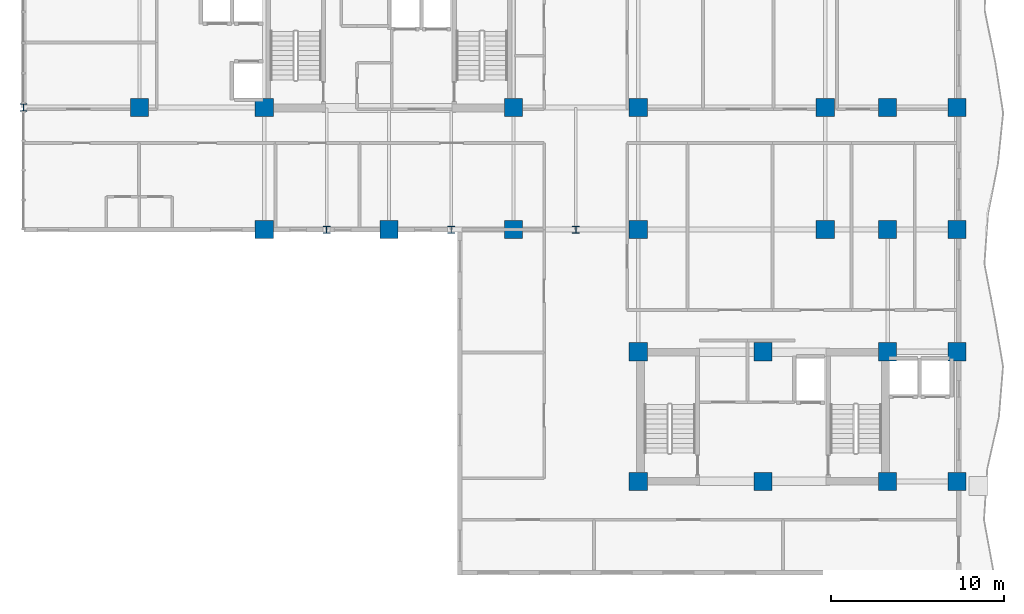
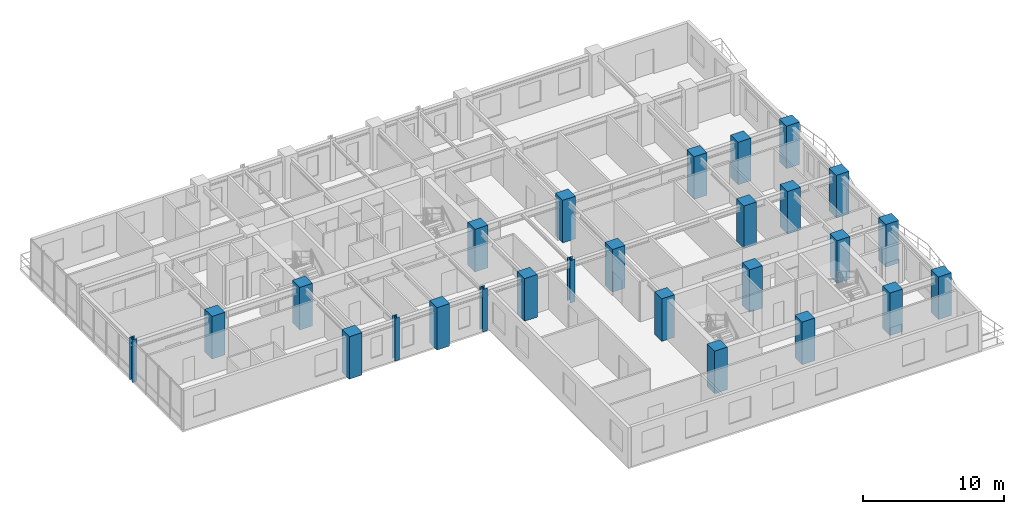
# One storey, part 1 of 19: 26 columns.
"""IFC4 building model written with IfcOpenShell, lengths in metres."""

from ifc_helpers import new_model, si_unit, direction, frame, origin, origin_2d, place, context, subcontext, project, spatial, rectangle, i_section, extrude, source, transform, mapped, material, material_profile, profile_set, type_object, element, save


model = new_model("IFC4")

# Units and contexts
model_context = context("Model", 3, precision=1e-05, world=origin(), true_north=direction((0.0, 1.0)))
body_context = subcontext(model_context, "Body", "Model", "MODEL_VIEW")
ifc_project = project(units=[si_unit("LENGTHUNIT", "METRE"), si_unit("AREAUNIT", "SQUARE_METRE"), si_unit("VOLUMEUNIT", "CUBIC_METRE"), si_unit("PLANEANGLEUNIT", "RADIAN"), si_unit("MASSUNIT", "GRAM", prefix="KILO")], contexts=[model_context])

# Site, building, storey
site_placement = place(None, origin())
site = spatial("IfcSite", under=ifc_project, at=site_placement, CompositionType="ELEMENT")
building_placement = place(site_placement, origin())
building = spatial("IfcBuilding", under=site, at=building_placement, Name="Kaliganga Portal Commons", CompositionType="ELEMENT")
storey_placement = place(building_placement, frame((0.0, 0.0, 184.60009765625)))
storey = spatial("IfcBuildingStorey", under=building, at=storey_placement, Name="L47", CompositionType="ELEMENT", Elevation=184.60009765625)

# Columns
ifc_material_1 = material(Name="Concrete C60/75", Category="concrete")
ifc_material_profile_1 = material_profile(ifc_material_1, rectangle(XDim=1.050048828125, YDim=1.050048828125, at=origin_2d()), Name="RC 1050x1050")
ifc_profile_set_1 = profile_set([ifc_material_profile_1], Name="Concrete C60/75")
column_type_1 = type_object("IfcColumnType", Name="COL-MEGA-Z3", PredefinedType="COLUMN", material=ifc_profile_set_1)
shared_shape_1 = source(origin(), body_context, "Body", "SweptSolid", [
    extrude(rectangle(XDim=1.050048828125, YDim=1.050048828125, at=origin_2d()), origin(), (0.0, 0.0, 1.0), 3.699951171875),
])
for number, where, z_axis, x_axis, name in (
    (1, (7.199951171875, 28.64990234375, 0.0), (0.0, 0.0, 1.0), (1.0, 0.0, 0.0), "Column MC-04 L47"),
    (2, (14.39990234375, 21.60009765625, 0.0), (0.0, 0.0, 1.0), (1.0, 0.0, 0.0), "Column MC-04 L47"),
    (3, (14.39990234375, 28.64990234375, 0.0), (0.0, 0.0, 1.0), (1.0, 0.0, 0.0), "Column MC-04 L47"),
    (4, (21.60009765625, 21.60009765625, 0.0), (0.0, 0.0, 1.0), (1.0, 0.0, 0.0), "Column MC-04 L47"),
    (5, (28.800048828125, 21.60009765625, 0.0), (0.0, 0.0, 1.0), (1.0, 0.0, 0.0), "Column MC-04 L47"),
    (6, (28.800048828125, 28.64990234375, 0.0), (0.0, 0.0, 1.0), (1.0, 0.0, 0.0), "Column MC-04 L47"),
    (7, (36.0, 21.60009765625, 0.0), (0.0, 0.0, 1.0), (1.0, 0.0, 0.0), "Column MC-04 L47"),
    (8, (36.0, 28.64990234375, 0.0), (0.0, 0.0, 1.0), (1.0, 0.0, 0.0), "Column MC-04 L47"),
    (9, (46.800048828125, 21.60009765625, 0.0), (0.0, 0.0, 1.0), (1.0, 0.0, 0.0), "Column MC-04 L47"),
    (10, (46.800048828125, 28.64990234375, 0.0), (0.0, 0.0, 1.0), (1.0, 0.0, 0.0), "Column MC-04 L47"),
    (11, (36.0, 7.050048828125, 0.0), (0.0, 0.0, 1.0), (1.0, 0.0, 0.0), "Column MC-04 L47"),
    (12, (36.0, 14.550048828125, 0.0), (0.0, 0.0, 1.0), (1.0, 0.0, 0.0), "Column MC-04 L47"),
    (13, (43.199951171875, 7.050048828125, 0.0), (0.0, 0.0, 1.0), (1.0, 0.0, 0.0), "Column MC-04 L47"),
    (14, (43.199951171875, 14.550048828125, 0.0), (0.0, 0.0, 1.0), (1.0, 0.0, 0.0), "Column MC-04 L47"),
    (15, (50.39990234375, 7.050048828125, 0.0), (0.0, 0.0, 1.0), (1.0, 0.0, 0.0), "Column MC-04 L47"),
    (16, (50.39990234375, 14.550048828125, 0.0), (0.0, 0.0, 1.0), (1.0, 0.0, 0.0), "Column MC-04 L47"),
    (17, (50.39990234375, 21.60009765625, 0.0), (0.0, 0.0, 1.0), (1.0, 0.0, 0.0), "Column MC-04 L47"),
    (18, (50.39990234375, 28.64990234375, 0.0), (0.0, 0.0, 1.0), (1.0, 0.0, 0.0), "Column MC-04 L47"),
    (19, (54.39990234375, 7.050048828125, 0.0), (0.0, 0.0, 1.0), (1.0, 0.0, 0.0), "Column MC-04 L47"),
    (20, (54.39990234375, 14.550048828125, 0.0), (0.0, 0.0, 1.0), (1.0, 0.0, 0.0), "Column MC-04 L47"),
    (21, (54.39990234375, 21.60009765625, 0.0), (0.0, 0.0, 1.0), (1.0, 0.0, 0.0), "Column MC-04 L47"),
    (22, (54.39990234375, 28.64990234375, 0.0), (0.0, 0.0, 1.0), (1.0, 0.0, 0.0), "Column MC-04 L47"),
):
    element("IfcColumn", number, at=place(storey_placement, frame(where, z_axis=z_axis, x_axis=x_axis)), inside=storey, type_object=column_type_1, Name=name, PredefinedType="COLUMN", context=body_context, shape_type="MappedRepresentation", body=[
        mapped(shared_shape_1, transform((0.0, 0.0, 0.0), x_axis=(1.0, 0.0, 0.0), y_axis=(0.0, 1.0, 0.0), z_axis=(0.0, 0.0, 1.0), scale=1.0)),
    ])
ifc_material_2 = material(Name="Structural steel S460M", Category="steel")
ifc_material_profile_2 = material_profile(ifc_material_2, i_section(OverallWidth=0.404052734375, OverallDepth=0.4140625, WebThickness=0.0205078125, FlangeThickness=0.028076171875, FilletRadius=0.014892578125, at=origin_2d()), Name="HD 400x347")
ifc_profile_set_2 = profile_set([ifc_material_profile_2], Name="Structural steel S460M wide-flange")
column_type_2 = type_object("IfcColumnType", Name="COL-TUBE-B3", PredefinedType="COLUMN", material=ifc_profile_set_2)
shared_shape_2 = source(origin(), body_context, "Body", "SweptSolid", [
    extrude(i_section(OverallWidth=0.404052734375, OverallDepth=0.4140625, WebThickness=0.0205078125, FlangeThickness=0.028076171875, FilletRadius=0.014892578125, at=origin_2d()), origin(), (0.0, 0.0, 1.0), 3.699951171875),
])
for number, where, z_axis, x_axis, name in (
    (23, (0.5, 28.64990234375, 0.0), (0.0, 0.0, 1.0), (1.0, 0.0, 0.0), "Column TC-03 L47"),
    (24, (18.0, 21.60009765625, 0.0), (0.0, 0.0, 1.0), (1.0, 0.0, 0.0), "Column TC-03 L47"),
    (25, (25.199951171875, 21.60009765625, 0.0), (0.0, 0.0, 1.0), (1.0, 0.0, 0.0), "Column TC-03 L47"),
    (26, (32.39990234375, 21.60009765625, 0.0), (0.0, 0.0, 1.0), (1.0, 0.0, 0.0), "Column TC-03 L47"),
):
    element("IfcColumn", number, at=place(storey_placement, frame(where, z_axis=z_axis, x_axis=x_axis)), inside=storey, type_object=column_type_2, Name=name, PredefinedType="COLUMN", context=body_context, shape_type="MappedRepresentation", body=[
        mapped(shared_shape_2, transform((0.0, 0.0, 0.0), x_axis=(1.0, 0.0, 0.0), y_axis=(0.0, 1.0, 0.0), z_axis=(0.0, 0.0, 1.0), scale=1.0)),
    ])

save(model, "model.ifc")
